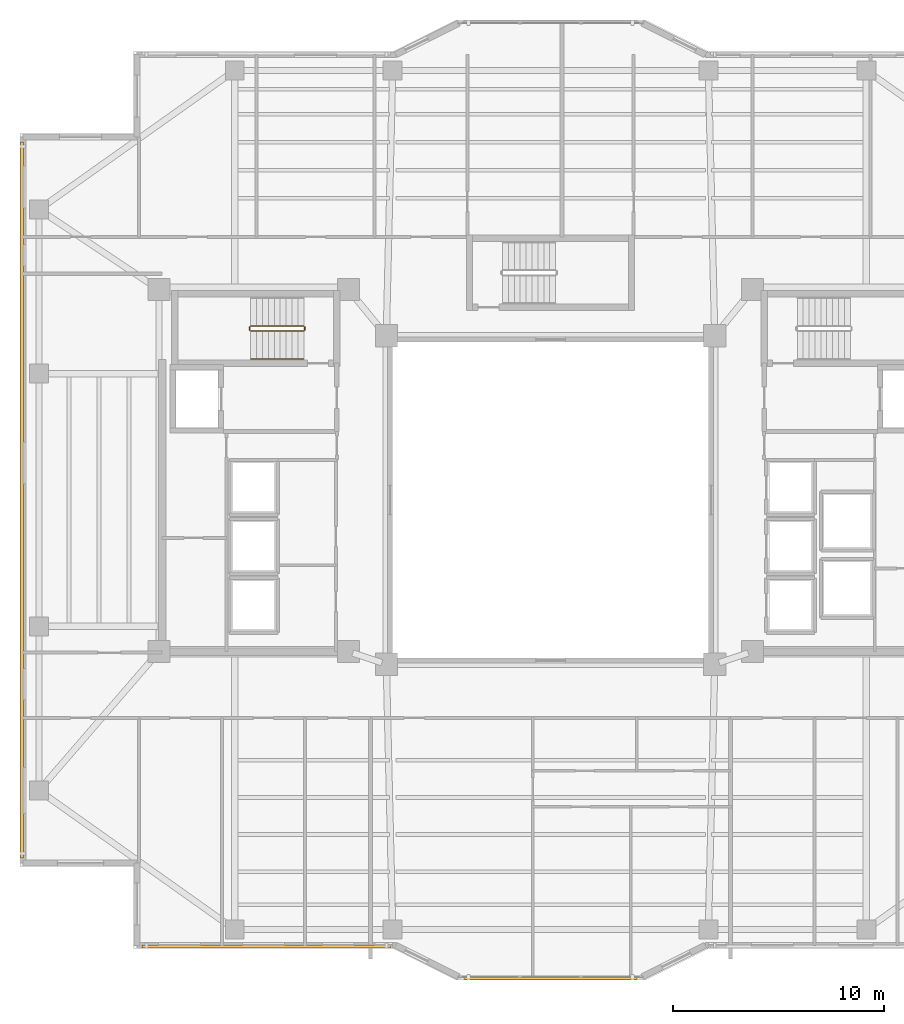
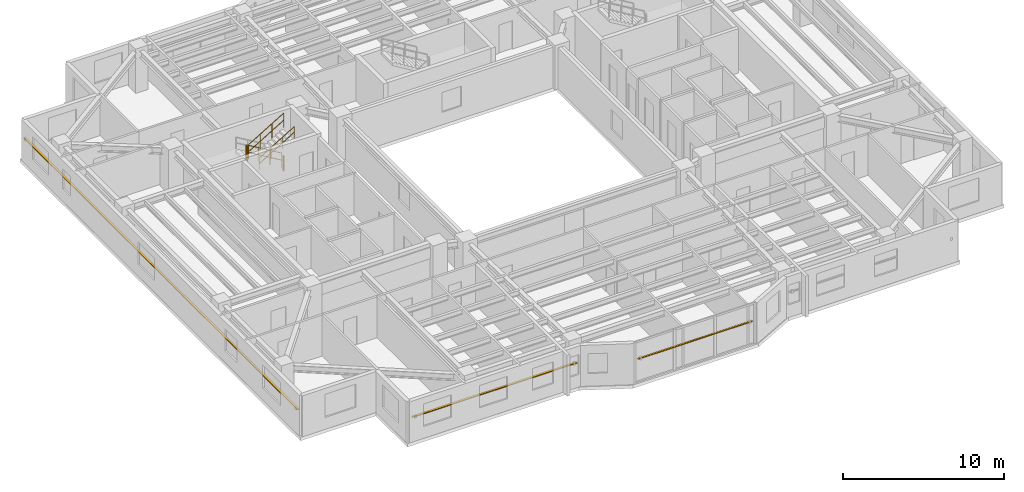
# One storey, part 13 of 15: 5 railings, 3 shading devices.
"""IFC4 building model written with IfcOpenShell, lengths in metres."""

from ifc_helpers import new_model, si_unit, direction, frame, origin, origin_2d, place, context, subcontext, project, spatial, rectangle, circle, extrude, material, material_profile, profile_set, type_object, element, save


model = new_model("IFC4")

# Units and contexts
model_context = context("Model", 3, precision=1e-05, world=origin(), true_north=direction((0.0, 1.0)))
body_context = subcontext(model_context, "Body", "Model", "MODEL_VIEW")
ifc_project = project(units=[si_unit("LENGTHUNIT", "METRE"), si_unit("AREAUNIT", "SQUARE_METRE"), si_unit("VOLUMEUNIT", "CUBIC_METRE"), si_unit("PLANEANGLEUNIT", "RADIAN"), si_unit("MASSUNIT", "GRAM", prefix="KILO")], contexts=[model_context])

# Site, building, storey
site_placement = place(None, origin())
site = spatial("IfcSite", under=ifc_project, at=site_placement, CompositionType="ELEMENT")
building_placement = place(site_placement, origin())
building = spatial("IfcBuilding", under=site, at=building_placement, Name="Tarnavaz Court Tower", CompositionType="ELEMENT")
storey_placement = place(building_placement, frame((0.0, 0.0, 142.64990234375)))
storey = spatial("IfcBuildingStorey", under=building, at=storey_placement, Name="L38", CompositionType="ELEMENT", Elevation=142.64990234375)

# Railings
ifc_material_1 = material(Name="Brushed Stainless Steel", Category="steel")
railing_type_1 = type_object("IfcRailingType", Name="RL-HANDRAIL-900", PredefinedType="HANDRAIL", material=ifc_material_1)
railing_1_placement = place(storey_placement, frame((-14.239990234375, 6.699951171875, 1.842529296875)))
element("IfcRailing", 1, at=railing_1_placement, inside=storey, type_object=railing_type_1, Name="L38 ST-W1 stair handrail 2", PredefinedType="HANDRAIL", context=body_context, shape_type="SweptSolid", body=[
    extrude(circle(Radius=0.02392578125, at=origin_2d()), frame((0.0, 0.0, 0.8759765625), z_axis=(0.858159760407, 0.0, 0.513382728203), x_axis=(0.0, 1.0, 0.0)), (0.0, 0.0, 1.0), 2.9365234375),
    extrude(circle(Radius=0.02392578125, at=origin_2d()), frame((0.0, 0.0, 0.449951171875), z_axis=(0.858159760407, 0.0, 0.513382728203), x_axis=(0.0, 1.0, 0.0)), (0.0, 0.0, 1.0), 2.9365234375),
    extrude(circle(Radius=0.02099609375, at=origin_2d()), origin(), (0.0, 0.0, 1.0), 0.851806640625),
    extrude(circle(Radius=0.02099609375, at=origin_2d()), frame((0.840087890625, 0.0, 0.50244140625)), (0.0, 0.0, 1.0), 0.851806640625),
    extrude(circle(Radius=0.02099609375, at=origin_2d()), frame((1.679931640625, 0.0, 1.005126953125)), (0.0, 0.0, 1.0), 0.851806640625),
    extrude(circle(Radius=0.02099609375, at=origin_2d()), frame((2.52001953125, 0.0, 1.507568359375)), (0.0, 0.0, 1.0), 0.851806640625),
])
ifc_material_2 = material(Name="Galvanized Painted Tubular Steel", Category="steel")
railing_type_2 = type_object("IfcRailingType", Name="RL-STGUARD-1120", PredefinedType="GUARDRAIL", material=ifc_material_2)
railing_2_placement = place(storey_placement, frame((-11.719970703125, 8.27001953125, 0.16748046875)))
element("IfcRailing", 2, at=railing_2_placement, inside=storey, type_object=railing_type_2, Name="L38 ST-W1 stair guard 1", PredefinedType="GUARDRAIL", context=body_context, shape_type="SweptSolid", body=[
    extrude(circle(Radius=0.02392578125, at=origin_2d()), frame((0.0, 0.0, 1.09619140625), z_axis=(-0.858159760407, 0.0, 0.513382728203), x_axis=(0.0, -1.0, 0.0)), (0.0, 0.0, 1.0), 2.9365234375),
    extrude(circle(Radius=0.02392578125, at=origin_2d()), frame((0.0, 0.0, 0.56005859375), z_axis=(-0.858159760407, 0.0, 0.513382728203), x_axis=(0.0, -1.0, 0.0)), (0.0, 0.0, 1.0), 2.9365234375),
    extrude(circle(Radius=0.02099609375, at=origin_2d()), origin(), (0.0, 0.0, 1.0), 1.072021484375),
    extrude(circle(Radius=0.02099609375, at=origin_2d()), frame((-0.840087890625, 0.0, 0.50244140625)), (0.0, 0.0, 1.0), 1.072021484375),
    extrude(circle(Radius=0.02099609375, at=origin_2d()), frame((-1.679931640625, 0.0, 1.005126953125)), (0.0, 0.0, 1.0), 1.072021484375),
    extrude(circle(Radius=0.02099609375, at=origin_2d()), frame((-2.52001953125, 0.0, 1.507568359375)), (0.0, 0.0, 1.0), 1.072021484375),
])
railing_3_placement = place(storey_placement, frame((-14.2900390625, 8.219970703125, 1.675048828125)))
element("IfcRailing", 3, at=railing_3_placement, inside=storey, type_object=railing_type_2, Name="L38 ST-W1 stair guard 2", PredefinedType="GUARDRAIL", context=body_context, shape_type="SweptSolid", body=[
    extrude(circle(Radius=0.02392578125, at=origin_2d()), frame((0.0, 0.0, 1.09619140625), z_axis=(0.0, -1.0, 0.0), x_axis=(1.0, 0.0, 0.0)), (0.0, 0.0, 1.0), 0.14990234375),
    extrude(circle(Radius=0.02392578125, at=origin_2d()), frame((0.0, 0.0, 0.56005859375), z_axis=(0.0, -1.0, 0.0), x_axis=(1.0, 0.0, 0.0)), (0.0, 0.0, 1.0), 0.14990234375),
    extrude(circle(Radius=0.02099609375, at=origin_2d()), origin(), (0.0, 0.0, 1.0), 1.072021484375),
    extrude(circle(Radius=0.02099609375, at=origin_2d()), frame((0.0, -0.14990234375, 0.0)), (0.0, 0.0, 1.0), 1.072021484375),
])
railing_4_placement = place(storey_placement, frame((-14.239990234375, 8.02001953125, 1.842529296875)))
element("IfcRailing", 4, at=railing_4_placement, inside=storey, type_object=railing_type_2, Name="L38 ST-W1 stair guard 3", PredefinedType="GUARDRAIL", context=body_context, shape_type="SweptSolid", body=[
    extrude(circle(Radius=0.02392578125, at=origin_2d()), frame((0.0, 0.0, 1.09619140625), z_axis=(0.858159760407, 0.0, 0.513382728203), x_axis=(0.0, 1.0, 0.0)), (0.0, 0.0, 1.0), 2.9365234375),
    extrude(circle(Radius=0.02392578125, at=origin_2d()), frame((0.0, 0.0, 0.56005859375), z_axis=(0.858159760407, 0.0, 0.513382728203), x_axis=(0.0, 1.0, 0.0)), (0.0, 0.0, 1.0), 2.9365234375),
    extrude(circle(Radius=0.02099609375, at=origin_2d()), origin(), (0.0, 0.0, 1.0), 1.072021484375),
    extrude(circle(Radius=0.02099609375, at=origin_2d()), frame((0.840087890625, 0.0, 0.50244140625)), (0.0, 0.0, 1.0), 1.072021484375),
    extrude(circle(Radius=0.02099609375, at=origin_2d()), frame((1.679931640625, 0.0, 1.005126953125)), (0.0, 0.0, 1.0), 1.072021484375),
    extrude(circle(Radius=0.02099609375, at=origin_2d()), frame((2.52001953125, 0.0, 1.507568359375)), (0.0, 0.0, 1.0), 1.072021484375),
])
railing_5_placement = place(storey_placement, frame((-11.669921875, 8.219970703125, 0.0)))
element("IfcRailing", 5, at=railing_5_placement, inside=storey, type_object=railing_type_2, Name="L38 ST-W1 stair guard 4", PredefinedType="GUARDRAIL", context=body_context, shape_type="SweptSolid", body=[
    extrude(circle(Radius=0.02392578125, at=origin_2d()), frame((0.0, 0.0, 1.09619140625), z_axis=(0.0, -1.0, 0.0), x_axis=(1.0, 0.0, 0.0)), (0.0, 0.0, 1.0), 0.14990234375),
    extrude(circle(Radius=0.02392578125, at=origin_2d()), frame((0.0, 0.0, 0.56005859375), z_axis=(0.0, -1.0, 0.0), x_axis=(1.0, 0.0, 0.0)), (0.0, 0.0, 1.0), 0.14990234375),
    extrude(circle(Radius=0.02099609375, at=origin_2d()), origin(), (0.0, 0.0, 1.0), 1.072021484375),
    extrude(circle(Radius=0.02099609375, at=origin_2d()), frame((0.0, -0.14990234375, 0.0)), (0.0, 0.0, 1.0), 1.072021484375),
])

# Shading devices
ifc_material_3 = material(Name="Kiln-Fired Khorasan Terracotta Ceramic", Category="masonry")
ifc_material_profile_1 = material_profile(ifc_material_3, rectangle(XDim=0.1201171875, YDim=0.06005859375, at=origin_2d()), Name="TC BAGUETTE 120X60")
ifc_profile_set_1 = profile_set([ifc_material_profile_1], Name="Kiln-Fired Khorasan Terracotta Ceramic")
shading_device_type_1 = type_object("IfcShadingDeviceType", Name="SD-BAG-120", PredefinedType="USERDEFINED", material=ifc_profile_set_1)
shading_device_1_placement = place(storey_placement, frame((4.10009765625, -22.7099609375, 1.800048828125), z_axis=(-1.0, 0.0, 0.0), x_axis=(0.0, -1.0, 0.0)))
element("IfcShadingDevice", 6, at=shading_device_1_placement, inside=storey, type_object=shading_device_type_1, Name="L38 Terracotta Baguette Screen PBG17", ObjectType="BAGUETTE", PredefinedType="USERDEFINED", context=body_context, shape_type="SweptSolid", body=[
    extrude(rectangle(XDim=0.1201171875, YDim=0.06005859375, at=origin_2d()), origin(), (0.0, 0.0, 1.0), 8.2001953125),
])
ifc_material_profile_2 = material_profile(ifc_material_3, rectangle(XDim=0.14990234375, YDim=0.06494140625, at=origin_2d()), Name="TC BAGUETTE 150X65")
ifc_profile_set_2 = profile_set([ifc_material_profile_2], Name="Kiln-Fired Khorasan Terracotta Ceramic")
shading_device_type_2 = type_object("IfcShadingDeviceType", Name="SD-BAG-150", PredefinedType="USERDEFINED", material=ifc_profile_set_2)
shading_device_2_placement = place(storey_placement, frame((-25.110107421875, -17.0, 1.85009765625), z_axis=(0.0, 1.0, 0.0), x_axis=(-1.0, 0.0, 0.0)))
element("IfcShadingDevice", 7, at=shading_device_2_placement, inside=storey, type_object=shading_device_type_2, Name="L38 Terracotta Baguette Screen FBG02", ObjectType="BAGUETTE", PredefinedType="USERDEFINED", context=body_context, shape_type="SweptSolid", body=[
    extrude(rectangle(XDim=0.14990234375, YDim=0.06494140625, at=origin_2d()), origin(), (0.0, 0.0, 1.0), 34.0),
])
shading_device_3_placement = place(storey_placement, frame((-7.60009765625, -21.2099609375, 1.85009765625), z_axis=(-1.0, 0.0, 0.0), x_axis=(0.0, -1.0, 0.0)))
element("IfcShadingDevice", 8, at=shading_device_3_placement, inside=storey, type_object=shading_device_type_2, Name="L38 Terracotta Baguette Screen FBG19", ObjectType="BAGUETTE", PredefinedType="USERDEFINED", context=body_context, shape_type="SweptSolid", body=[
    extrude(rectangle(XDim=0.14990234375, YDim=0.06494140625, at=origin_2d()), origin(), (0.0, 0.0, 1.0), 11.7998046875),
])

save(model, "model.ifc")
